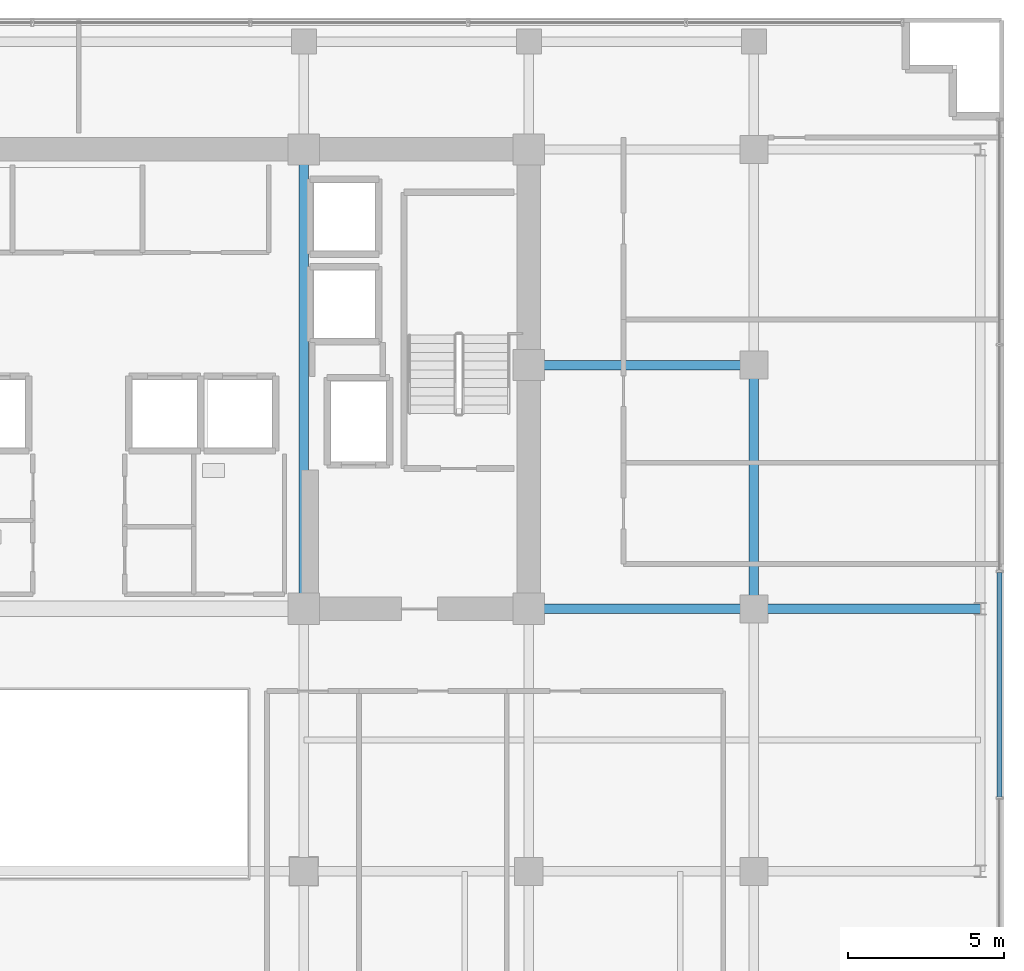
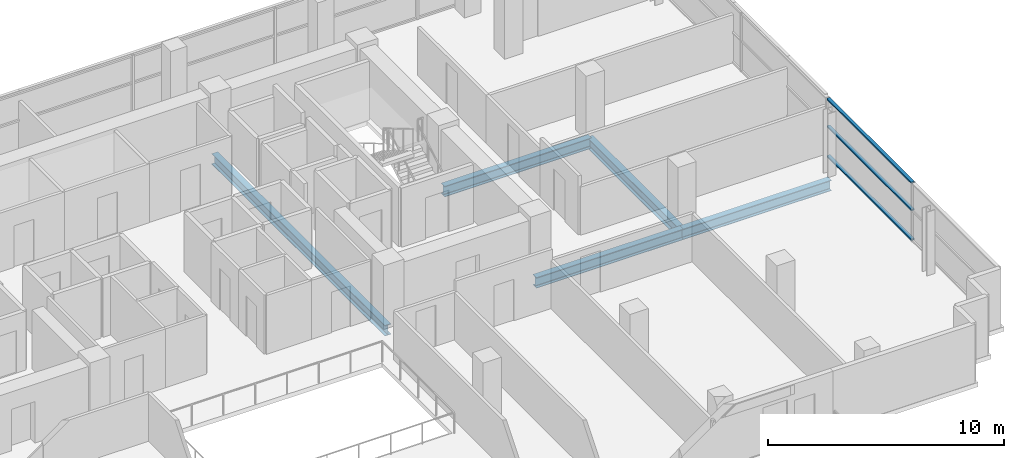
# One storey, part 8 of 22: 5 beams, 3 members, 1 element without a shape of its own.
"""IFC4 building model written with IfcOpenShell, lengths in metres."""

from ifc_helpers import new_model, si_unit, direction, frame, origin, origin_2d, place, context, subcontext, project, spatial, hollow_rectangle, i_section, extrude, source, transform, mapped, material, layer, layer_set, material_profile, profile_set, type_object, element, aggregate, save


model = new_model("IFC4")

# Units and contexts
model_context = context("Model", 3, precision=1e-05, world=origin(), true_north=direction((0.0, 1.0)))
body_context = subcontext(model_context, "Body", "Model", "MODEL_VIEW")
ifc_project = project(units=[si_unit("LENGTHUNIT", "METRE"), si_unit("AREAUNIT", "SQUARE_METRE"), si_unit("VOLUMEUNIT", "CUBIC_METRE"), si_unit("PLANEANGLEUNIT", "RADIAN"), si_unit("MASSUNIT", "GRAM", prefix="KILO")], contexts=[model_context])

# Site, building, storey
site_placement = place(None, origin())
site = spatial("IfcSite", under=ifc_project, at=site_placement, CompositionType="ELEMENT")
building_placement = place(site_placement, origin())
building = spatial("IfcBuilding", under=site, at=building_placement, Name="Zarnakvel Exchange Tower", CompositionType="ELEMENT")
storey_placement = place(building_placement, frame((0.0, 0.0, 136.300048828125)))
storey = spatial("IfcBuildingStorey", under=building, at=storey_placement, Name="L38", CompositionType="ELEMENT", Elevation=136.300048828125)

# Beams
ifc_material_1 = material(Name="Steel S355", Category="steel")
ifc_material_profile_1 = material_profile(ifc_material_1, i_section(OverallWidth=0.300048828125, OverallDepth=0.550048828125, WebThickness=0.014892578125, FlangeThickness=0.029052734375, FilletRadius=0.027099609375, at=origin_2d()))
ifc_profile_set_1 = profile_set([ifc_material_profile_1], Name="Steel S355")
beam_type = type_object("IfcBeamType", Name="G-05", PredefinedType="BEAM", material=ifc_profile_set_1)
beam_1_placement = place(storey_placement, frame((14.39990234375, -1.199951171875, -0.5), z_axis=(1.0, 0.0, 0.0), x_axis=(0.0, 1.0, 0.0)))
element("IfcBeam", 1, at=beam_1_placement, inside=storey, type_object=beam_type, Name="L38 Tower E-W Frame Beam", PredefinedType="BEAM", context=body_context, shape_type="SweptSolid", body=[
    extrude(i_section(OverallWidth=0.300048828125, OverallDepth=0.550048828125, WebThickness=0.014892578125, FlangeThickness=0.029052734375, FilletRadius=0.027099609375, at=origin_2d()), origin(), (0.0, 0.0, 1.0), 7.2001953125),
])
beam_2_placement = place(storey_placement, frame((21.60009765625, -1.199951171875, -0.5), z_axis=(1.0, 0.0, 0.0), x_axis=(0.0, 1.0, 0.0)))
element("IfcBeam", 2, at=beam_2_placement, inside=storey, type_object=beam_type, Name="L38 Tower E-W Frame Beam", PredefinedType="BEAM", context=body_context, shape_type="SweptSolid", body=[
    extrude(i_section(OverallWidth=0.300048828125, OverallDepth=0.550048828125, WebThickness=0.014892578125, FlangeThickness=0.029052734375, FilletRadius=0.027099609375, at=origin_2d()), origin(), (0.0, 0.0, 1.0), 7.25),
])
beam_3_placement = place(storey_placement, frame((14.39990234375, 6.60009765625, -0.5), z_axis=(1.0, 0.0, 0.0), x_axis=(0.0, 1.0, 0.0)))
element("IfcBeam", 3, at=beam_3_placement, inside=storey, type_object=beam_type, Name="L38 Tower E-W Frame Beam", PredefinedType="BEAM", context=body_context, shape_type="SweptSolid", body=[
    extrude(i_section(OverallWidth=0.300048828125, OverallDepth=0.550048828125, WebThickness=0.014892578125, FlangeThickness=0.029052734375, FilletRadius=0.027099609375, at=origin_2d()), origin(), (0.0, 0.0, 1.0), 7.2001953125),
])
beam_4_placement = place(storey_placement, frame((7.199951171875, -1.199951171875, -0.5), z_axis=(0.0, 1.0, 0.0), x_axis=(-1.0, 0.0, 0.0)))
element("IfcBeam", 4, at=beam_4_placement, inside=storey, type_object=beam_type, Name="L38 Tower N-S Frame Beam", PredefinedType="BEAM", context=body_context, shape_type="SweptSolid", body=[
    extrude(i_section(OverallWidth=0.300048828125, OverallDepth=0.550048828125, WebThickness=0.014892578125, FlangeThickness=0.029052734375, FilletRadius=0.027099609375, at=origin_2d()), origin(), (0.0, 0.0, 1.0), 14.699951171875),
])
beam_5_placement = place(storey_placement, frame((21.60009765625, -1.199951171875, -0.5), z_axis=(0.0, 1.0, 0.0), x_axis=(-1.0, 0.0, 0.0)))
element("IfcBeam", 5, at=beam_5_placement, inside=storey, type_object=beam_type, Name="L38 Tower N-S Frame Beam", PredefinedType="BEAM", context=body_context, shape_type="SweptSolid", body=[
    extrude(i_section(OverallWidth=0.300048828125, OverallDepth=0.550048828125, WebThickness=0.014892578125, FlangeThickness=0.029052734375, FilletRadius=0.027099609375, at=origin_2d()), origin(), (0.0, 0.0, 1.0), 7.800048828125),
])

# Curtain wall, members
ifc_material_2 = material(Name="Architectural Bronze Anodised Aluminium", Category="aluminium")
ifc_layer = layer(ifc_material_2, 0.199951171875)
ifc_layer_set = layer_set([ifc_layer], Name="Architectural Bronze Anodised Aluminium")
curtain_wall_type = type_object("IfcCurtainWallType", Name="CW-04", PredefinedType="NOTDEFINED", material=ifc_layer_set)
curtain_wall_placement = place(storey_placement, origin())
curtain_wall = element("IfcCurtainWall", 6, at=curtain_wall_placement, inside=storey, type_object=curtain_wall_type, Name="L38 Curtain Wall CW-L38-E1 (CW-04)", PredefinedType="NOTDEFINED")
ifc_material_profile_2 = material_profile(ifc_material_2, hollow_rectangle(XDim=0.159912109375, YDim=0.074951171875, WallThickness=0.00390625, at=origin_2d()))
ifc_profile_set_2 = profile_set([ifc_material_profile_2], Name="Architectural Bronze Anodised Aluminium")
member_type = type_object("IfcMemberType", Name="CWT-04", PredefinedType="USERDEFINED", material=ifc_profile_set_2)
shared_shape = source(origin(), body_context, "Body", "SweptSolid", [
    extrude(hollow_rectangle(XDim=0.159912109375, YDim=0.074951171875, WallThickness=0.00390625, at=origin_2d()), origin(), (0.0, 0.0, 1.0), 7.1748046875),
])
member_1_placement = place(storey_placement, frame((29.4599609375, -7.21240234375, 0.037353515625), z_axis=(0.0, 1.0, 0.0), x_axis=(-1.0, 0.0, 0.0)))
member_1 = element("IfcMember", 7, at=member_1_placement, type_object=member_type, Name="CW-04 transom 2.1", ObjectType="TRANSOM", PredefinedType="USERDEFINED", context=body_context, shape_type="MappedRepresentation", body=[
    mapped(shared_shape, transform((0.0, 0.0, 0.0), x_axis=(1.0, 0.0, 0.0), y_axis=(0.0, 1.0, 0.0), z_axis=(0.0, 0.0, 1.0), scale=1.0)),
])
member_2_placement = place(storey_placement, frame((29.4599609375, -7.21240234375, 1.575439453125), z_axis=(0.0, 1.0, 0.0), x_axis=(-1.0, 0.0, 0.0)))
member_2 = element("IfcMember", 8, at=member_2_placement, type_object=member_type, Name="CW-04 transom 2.2", ObjectType="TRANSOM", PredefinedType="USERDEFINED", context=body_context, shape_type="MappedRepresentation", body=[
    mapped(shared_shape, transform((0.0, 0.0, 0.0), x_axis=(1.0, 0.0, 0.0), y_axis=(0.0, 1.0, 0.0), z_axis=(0.0, 0.0, 1.0), scale=1.0)),
])
member_3_placement = place(storey_placement, frame((29.4599609375, -7.21240234375, 2.992431640625), z_axis=(0.0, 1.0, 0.0), x_axis=(-1.0, 0.0, 0.0)))
member_3 = element("IfcMember", 9, at=member_3_placement, type_object=member_type, Name="CW-04 transom 2.3", ObjectType="TRANSOM", PredefinedType="USERDEFINED", context=body_context, shape_type="MappedRepresentation", body=[
    mapped(shared_shape, transform((0.0, 0.0, 0.0), x_axis=(1.0, 0.0, 0.0), y_axis=(0.0, 1.0, 0.0), z_axis=(0.0, 0.0, 1.0), scale=1.0)),
])
aggregate(curtain_wall, [member_1, member_2, member_3])

save(model, "model.ifc")
